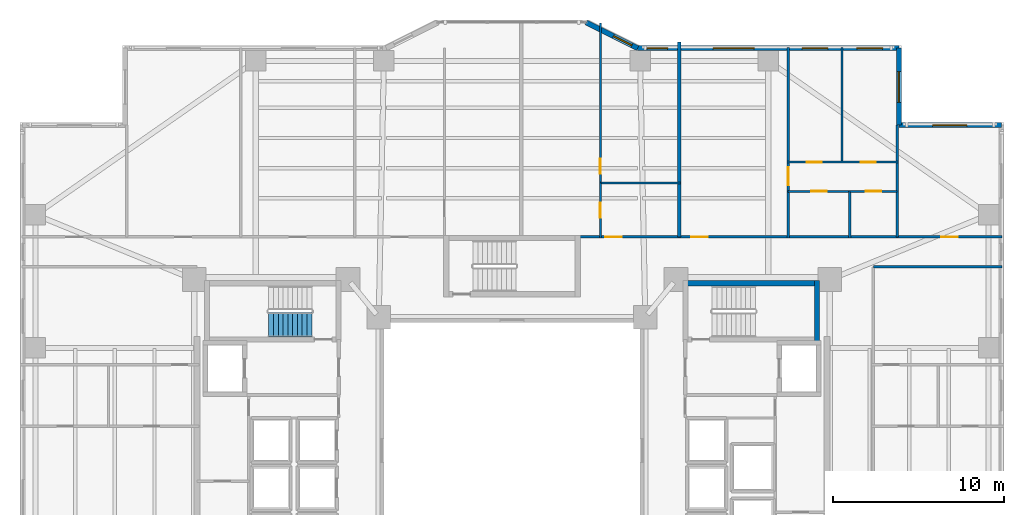
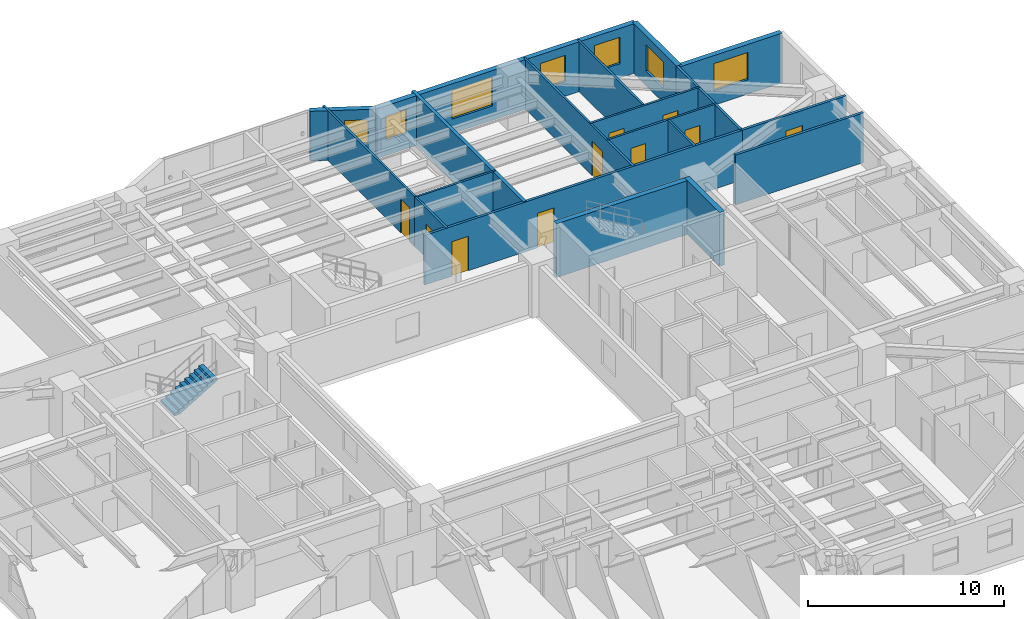
# One storey, part 15 of 21: 20 walls, 10 doors, 7 windows, 1 stair flight, 17 openings, 1 element without a shape of its own.
"""IFC4 building model written with IfcOpenShell, lengths in metres."""

from ifc_helpers import new_model, si_unit, direction, frame, frame_2d, origin, place, context, subcontext, project, spatial, polyline, rectangle, outline, extrude, material, layer, layer_set, type_object, element, fill, aggregate, save


model = new_model("IFC4")

# Units and contexts
model_context = context("Model", 3, precision=1e-05, world=origin(), true_north=direction((0.0, 1.0)))
body_context = subcontext(model_context, "Body", "Model", "MODEL_VIEW")
ifc_project = project(units=[si_unit("LENGTHUNIT", "METRE"), si_unit("AREAUNIT", "SQUARE_METRE"), si_unit("VOLUMEUNIT", "CUBIC_METRE"), si_unit("PLANEANGLEUNIT", "RADIAN"), si_unit("MASSUNIT", "GRAM", prefix="KILO")], contexts=[model_context])

# Site, building, storey
site_placement = place(None, origin())
site = spatial("IfcSite", under=ifc_project, at=site_placement, CompositionType="ELEMENT")
building_placement = place(site_placement, origin())
building = spatial("IfcBuilding", under=site, at=building_placement, Name="Tarnavaz Court Tower", CompositionType="ELEMENT")
storey_placement = place(building_placement, frame((0.0, 0.0, 47.449951171875)))
storey = spatial("IfcBuildingStorey", under=building, at=storey_placement, Name="L12", CompositionType="ELEMENT", Elevation=47.449951171875)

# Walls
ifc_material_1 = material(Name="Concrete C60/75", Category="concrete")
ifc_layer_1 = layer(ifc_material_1, 0.300048828125)
ifc_layer_set_1 = layer_set([ifc_layer_1], Name="Concrete C60/75")
wall_type_1 = type_object("IfcWallType", Name="WL-CORE-300-C60", PredefinedType="SHEAR", material=ifc_layer_set_1)
wall_1_placement = place(storey_placement, frame((10.0, 9.7900390625, 0.0), z_axis=(0.0, 0.0, 1.0), x_axis=(1.0, 0.0, 0.0)))
element("IfcWall", 1, at=wall_1_placement, inside=storey, type_object=wall_type_1, Name="L12 East Stair Core Wall 005", PredefinedType="SHEAR", context=body_context, shape_type="SweptSolid", body=[
    extrude(rectangle(XDim=8.0, YDim=0.300048828125, at=frame_2d((4.0, 0.0))), origin(), (0.0, 0.0, 1.0), 3.35009765625),
])
wall_2_placement = place(storey_placement, frame((17.85009765625, 6.35009765625, 0.0), z_axis=(0.0, 0.0, 1.0), x_axis=(0.0, 1.0, 0.0)))
element("IfcWall", 2, at=wall_2_placement, inside=storey, type_object=wall_type_1, Name="L12 East Stair Core Wall 008", PredefinedType="SHEAR", context=body_context, shape_type="SweptSolid", body=[
    extrude(rectangle(XDim=3.58984375, YDim=0.300048828125, at=frame_2d((1.794921875, 0.0))), origin(), (0.0, 0.0, 1.0), 3.35009765625),
])

# Wall, opening, window
ifc_material_2 = material(Name="Precast Concrete C40/50", Category="concrete")
ifc_layer_2 = layer(ifc_material_2, 0.300048828125)
ifc_layer_set_2 = layer_set([ifc_layer_2], Name="Precast Concrete C40/50")
wall_type_2 = type_object("IfcWallType", Name="WL-EXT-300", PredefinedType="SOLIDWALL", material=ifc_layer_set_2)
wall_3_placement = place(storey_placement, frame((4.35009765625, 25.050048828125, 0.0), z_axis=(0.0, 0.0, 1.0), x_axis=(0.894427191, -0.4472135955, 0.0)))
wall_3 = element("IfcWall", 3, at=wall_3_placement, inside=storey, type_object=wall_type_2, Name="L12 Exterior Terracotta Facade Wall 08", PredefinedType="SOLIDWALL", context=body_context, shape_type="SweptSolid", body=[
    extrude(rectangle(XDim=3.35400390625, YDim=0.300048828125, at=frame_2d((1.677001953125, 0.0))), origin(), (0.0, 0.0, 1.0), 3.10009765625),
])
opening_1_placement = place(wall_3_placement, frame((1.778076171875, 0.0, 0.949951171875)))
opening_1 = element("IfcOpeningElement", 4, at=opening_1_placement, cuts=wall_3, Name="Opening W05", PredefinedType="OPENING", context=body_context, shape_type="SweptSolid", body=[
    extrude(rectangle(XDim=1.199951171875, YDim=1.5, at=frame_2d((0.60009765625, 0.75))), frame((0.0, 0.159912109375, 0.0), z_axis=(0.0, -1.0, 0.0), x_axis=(1.0, 0.0, 0.0)), (0.0, 0.0, 1.0), 0.320068359375),
])
ifc_material_3 = material(Name="Double-Glazed Solar Low-E Glass", Category="glass")
window_type_1 = type_object("IfcWindowType", Name="WN-APT-1200", PartitioningType="SINGLE_PANEL", PredefinedType="WINDOW", material=ifc_material_3)
window_1_placement = place(opening_1_placement, origin())
window_1 = element("IfcWindow", 5, at=window_1_placement, inside=storey, type_object=window_type_1, Name="L12 Flat 01 Kitchen Window", OverallHeight=1.5, OverallWidth=1.199951171875, PartitioningType="SINGLE_PANEL", PredefinedType="WINDOW", context=body_context, shape_type="SweptSolid", body=[
    extrude(rectangle(XDim=1.199951171875, YDim=1.5, at=frame_2d((0.60009765625, 0.75))), frame((0.0, 0.030029296875, 0.0), z_axis=(0.0, -1.0, 0.0), x_axis=(1.0, 0.0, 0.0)), (0.0, 0.0, 1.0), 0.06005859375),
])
fill(opening_1, window_1)

# Wall, openings, windows
wall_4_placement = place(storey_placement, frame((7.35009765625, 23.550048828125, 0.0), z_axis=(0.0, 0.0, 1.0), x_axis=(1.0, 0.0, 0.0)))
wall_4 = element("IfcWall", 6, at=wall_4_placement, inside=storey, type_object=wall_type_2, Name="L12 Exterior Terracotta Facade Wall 09", PredefinedType="SOLIDWALL", context=body_context, shape_type="SweptSolid", body=[
    extrude(rectangle(XDim=15.2998046875, YDim=0.300048828125, at=frame_2d((7.64990234375, 0.0))), origin(), (0.0, 0.0, 1.0), 3.10009765625),
])
opening_2_placement = place(wall_4_placement, frame((0.5537109375, 0.0, 0.949951171875)))
opening_2 = element("IfcOpeningElement", 7, at=opening_2_placement, cuts=wall_4, Name="Opening W05", PredefinedType="OPENING", context=body_context, shape_type="SweptSolid", body=[
    extrude(rectangle(XDim=1.199951171875, YDim=1.5, at=frame_2d((0.60009765625, 0.75))), frame((0.0, 0.159912109375, 0.0), z_axis=(0.0, -1.0, 0.0), x_axis=(1.0, 0.0, 0.0)), (0.0, 0.0, 1.0), 0.320068359375),
])
opening_3_placement = place(wall_4_placement, frame((4.41845703125, 0.0, 0.89990234375)))
opening_3 = element("IfcOpeningElement", 8, at=opening_3_placement, cuts=wall_4, Name="Opening W06", PredefinedType="OPENING", context=body_context, shape_type="SweptSolid", body=[
    extrude(rectangle(XDim=2.39990234375, YDim=1.800048828125, at=frame_2d((1.199951171875, 0.89990234375))), frame((0.0, 0.159912109375, 0.0), z_axis=(0.0, -1.0, 0.0), x_axis=(1.0, 0.0, 0.0)), (0.0, 0.0, 1.0), 0.320068359375),
])
opening_4_placement = place(wall_4_placement, frame((9.6337890625, 0.0, 0.89990234375)))
opening_4 = element("IfcOpeningElement", 9, at=opening_4_placement, cuts=wall_4, Name="Opening W03", PredefinedType="OPENING", context=body_context, shape_type="SweptSolid", body=[
    extrude(rectangle(XDim=1.5, YDim=1.64990234375, at=frame_2d((0.75, 0.824951171875))), frame((0.0, 0.159912109375, 0.0), z_axis=(0.0, -1.0, 0.0), x_axis=(1.0, 0.0, 0.0)), (0.0, 0.0, 1.0), 0.320068359375),
])
opening_5_placement = place(wall_4_placement, frame((12.844482421875, 0.0, 0.89990234375)))
opening_5 = element("IfcOpeningElement", 10, at=opening_5_placement, cuts=wall_4, Name="Opening W03", PredefinedType="OPENING", context=body_context, shape_type="SweptSolid", body=[
    extrude(rectangle(XDim=1.5, YDim=1.64990234375, at=frame_2d((0.75, 0.824951171875))), frame((0.0, 0.159912109375, 0.0), z_axis=(0.0, -1.0, 0.0), x_axis=(1.0, 0.0, 0.0)), (0.0, 0.0, 1.0), 0.320068359375),
])
window_2_placement = place(opening_2_placement, origin())
window_2 = element("IfcWindow", 11, at=window_2_placement, inside=storey, type_object=window_type_1, Name="L12 Flat 01 Kitchen Window", OverallHeight=1.5, OverallWidth=1.199951171875, PartitioningType="SINGLE_PANEL", PredefinedType="WINDOW", context=body_context, shape_type="SweptSolid", body=[
    extrude(rectangle(XDim=1.199951171875, YDim=1.5, at=frame_2d((0.60009765625, 0.75))), frame((0.0, 0.030029296875, 0.0), z_axis=(0.0, -1.0, 0.0), x_axis=(1.0, 0.0, 0.0)), (0.0, 0.0, 1.0), 0.06005859375),
])
fill(opening_2, window_2)
window_type_2 = type_object("IfcWindowType", Name="WN-APT-1500", PartitioningType="DOUBLE_PANEL_VERTICAL", PredefinedType="WINDOW", material=ifc_material_3)
window_3_placement = place(opening_4_placement, origin())
window_3 = element("IfcWindow", 12, at=window_3_placement, inside=storey, type_object=window_type_2, Name="L12 Flat 02 Principal Bedroom Window", OverallHeight=1.64990234375, OverallWidth=1.5, PartitioningType="SINGLE_PANEL", PredefinedType="WINDOW", context=body_context, shape_type="SweptSolid", body=[
    extrude(rectangle(XDim=1.5, YDim=1.64990234375, at=frame_2d((0.75, 0.824951171875))), frame((0.0, 0.030029296875, 0.0), z_axis=(0.0, -1.0, 0.0), x_axis=(1.0, 0.0, 0.0)), (0.0, 0.0, 1.0), 0.06005859375),
])
fill(opening_4, window_3)
window_4_placement = place(opening_5_placement, origin())
window_4 = element("IfcWindow", 13, at=window_4_placement, inside=storey, type_object=window_type_2, Name="L12 Flat 02 Bedroom 2 Window", OverallHeight=1.64990234375, OverallWidth=1.5, PartitioningType="SINGLE_PANEL", PredefinedType="WINDOW", context=body_context, shape_type="SweptSolid", body=[
    extrude(rectangle(XDim=1.5, YDim=1.64990234375, at=frame_2d((0.75, 0.824951171875))), frame((0.0, 0.030029296875, 0.0), z_axis=(0.0, -1.0, 0.0), x_axis=(1.0, 0.0, 0.0)), (0.0, 0.0, 1.0), 0.06005859375),
])
fill(opening_5, window_4)
window_type_3 = type_object("IfcWindowType", Name="WN-APT-2400", PartitioningType="TRIPLE_PANEL_VERTICAL", PredefinedType="WINDOW", material=ifc_material_3)
window_5_placement = place(opening_3_placement, origin())
window_5 = element("IfcWindow", 14, at=window_5_placement, inside=storey, type_object=window_type_3, Name="L12 Flat 02 Living and Dining Room Window", OverallHeight=1.800048828125, OverallWidth=2.39990234375, PartitioningType="SINGLE_PANEL", PredefinedType="WINDOW", context=body_context, shape_type="SweptSolid", body=[
    extrude(rectangle(XDim=2.39990234375, YDim=1.800048828125, at=frame_2d((1.199951171875, 0.89990234375))), frame((0.0, 0.030029296875, 0.0), z_axis=(0.0, -1.0, 0.0), x_axis=(1.0, 0.0, 0.0)), (0.0, 0.0, 1.0), 0.06005859375),
])
fill(opening_3, window_5)

# Wall, opening, window
wall_5_placement = place(storey_placement, frame((22.64990234375, 23.550048828125, 0.0), z_axis=(0.0, 0.0, 1.0), x_axis=(0.0, -1.0, 0.0)))
wall_5 = element("IfcWall", 15, at=wall_5_placement, inside=storey, type_object=wall_type_2, Name="L12 Exterior Terracotta Facade Wall 10", PredefinedType="SOLIDWALL", context=body_context, shape_type="SweptSolid", body=[
    extrude(rectangle(XDim=4.5, YDim=0.300048828125, at=frame_2d((2.25, 0.0))), origin(), (0.0, 0.0, 1.0), 3.10009765625),
])
opening_6_placement = place(wall_5_placement, frame((1.367431640625, 0.0, 0.89990234375)))
opening_6 = element("IfcOpeningElement", 16, at=opening_6_placement, cuts=wall_5, Name="Opening W01", PredefinedType="OPENING", context=body_context, shape_type="SweptSolid", body=[
    extrude(rectangle(XDim=1.800048828125, YDim=1.64990234375, at=frame_2d((0.89990234375, 0.824951171875))), frame((0.0, 0.159912109375, 0.0), z_axis=(0.0, -1.0, 0.0), x_axis=(1.0, 0.0, 0.0)), (0.0, 0.0, 1.0), 0.320068359375),
])
window_type_4 = type_object("IfcWindowType", Name="WN-APT-1800", PartitioningType="DOUBLE_PANEL_VERTICAL", PredefinedType="WINDOW", material=ifc_material_3)
window_6_placement = place(opening_6_placement, origin())
window_6 = element("IfcWindow", 17, at=window_6_placement, inside=storey, type_object=window_type_4, Name="L12 Flat 02 Bedroom 2 Window", OverallHeight=1.64990234375, OverallWidth=1.800048828125, PartitioningType="SINGLE_PANEL", PredefinedType="WINDOW", context=body_context, shape_type="SweptSolid", body=[
    extrude(rectangle(XDim=1.800048828125, YDim=1.64990234375, at=frame_2d((0.89990234375, 0.824951171875))), frame((0.0, 0.030029296875, 0.0), z_axis=(0.0, -1.0, 0.0), x_axis=(1.0, 0.0, 0.0)), (0.0, 0.0, 1.0), 0.06005859375),
])
fill(opening_6, window_6)

wall_6_placement = place(storey_placement, frame((22.64990234375, 19.050048828125, 0.0), z_axis=(0.0, 0.0, 1.0), x_axis=(1.0, 0.0, 0.0)))
wall_6 = element("IfcWall", 18, at=wall_6_placement, inside=storey, type_object=wall_type_2, Name="L12 Exterior Terracotta Facade Wall 11", PredefinedType="SOLIDWALL", context=body_context, shape_type="SweptSolid", body=[
    extrude(rectangle(XDim=6.0, YDim=0.300048828125, at=frame_2d((3.0, 0.0))), origin(), (0.0, 0.0, 1.0), 3.10009765625),
])
opening_7_placement = place(wall_6_placement, frame((1.97509765625, 0.0, 0.89990234375)))
opening_7 = element("IfcOpeningElement", 19, at=opening_7_placement, cuts=wall_6, Name="Opening W08", PredefinedType="OPENING", context=body_context, shape_type="SweptSolid", body=[
    extrude(rectangle(XDim=2.0, YDim=1.699951171875, at=frame_2d((1.0, 0.85009765625))), frame((0.0, 0.159912109375, 0.0), z_axis=(0.0, -1.0, 0.0), x_axis=(1.0, 0.0, 0.0)), (0.0, 0.0, 1.0), 0.320068359375),
])
window_type_5 = type_object("IfcWindowType", Name="WN-APT-2000", PartitioningType="DOUBLE_PANEL_VERTICAL", PredefinedType="WINDOW", material=ifc_material_3)
window_7_placement = place(opening_7_placement, origin())
window_7 = element("IfcWindow", 20, at=window_7_placement, inside=storey, type_object=window_type_5, Name="L12 North-East Corner Sunroom Study Window", OverallHeight=1.699951171875, OverallWidth=2.0, PartitioningType="SINGLE_PANEL", PredefinedType="WINDOW", context=body_context, shape_type="SweptSolid", body=[
    extrude(rectangle(XDim=2.0, YDim=1.699951171875, at=frame_2d((1.0, 0.85009765625))), frame((0.0, 0.030029296875, 0.0), z_axis=(0.0, -1.0, 0.0), x_axis=(1.0, 0.0, 0.0)), (0.0, 0.0, 1.0), 0.06005859375),
])
fill(opening_7, window_7)

# Wall, openings, doors
ifc_material_4 = material(Name="Gypsum Fire-Board on Acoustic Metal Stud", Category="masonry")
ifc_layer_3 = layer(ifc_material_4, 0.14990234375)
ifc_layer_set_3 = layer_set([ifc_layer_3], Name="Gypsum Fire-Board on Acoustic Metal Stud")
wall_type_3 = type_object("IfcWallType", Name="WL-FIRE-150", PredefinedType="PARTITIONING", material=ifc_layer_set_3)
wall_7_placement = place(storey_placement, frame((3.85009765625, 12.5, 0.0), z_axis=(0.0, 0.0, 1.0), x_axis=(1.0, 0.0, 0.0)))
wall_7 = element("IfcWall", 21, at=wall_7_placement, inside=storey, type_object=wall_type_3, Name="L12 NE Wing Corridor Wall 082", PredefinedType="PARTITIONING", context=body_context, shape_type="SweptSolid", body=[
    extrude(rectangle(XDim=18.699951171875, YDim=0.14990234375, at=frame_2d((9.35009765625, 0.0))), origin(), (0.0, 0.0, 1.0), 3.10009765625),
])
opening_8_placement = place(wall_7_placement, frame((1.60009765625, 0.0, 0.0)))
opening_8 = element("IfcOpeningElement", 22, at=opening_8_placement, cuts=wall_7, Name="Opening D06", PredefinedType="OPENING", context=body_context, shape_type="SweptSolid", body=[
    extrude(rectangle(XDim=0.9599609375, YDim=2.14990234375, at=frame_2d((0.47998046875, 1.074951171875))), frame((0.0, 0.0849609375, 0.0), z_axis=(0.0, -1.0, 0.0), x_axis=(1.0, 0.0, 0.0)), (0.0, 0.0, 1.0), 0.169921875),
])
opening_9_placement = place(wall_7_placement, frame((6.639892578125, 0.0, 0.0)))
opening_9 = element("IfcOpeningElement", 23, at=opening_9_placement, cuts=wall_7, Name="Opening D06", PredefinedType="OPENING", context=body_context, shape_type="SweptSolid", body=[
    extrude(rectangle(XDim=0.9599609375, YDim=2.14990234375, at=frame_2d((0.47998046875, 1.074951171875))), frame((0.0, 0.0849609375, 0.0), z_axis=(0.0, -1.0, 0.0), x_axis=(1.0, 0.0, 0.0)), (0.0, 0.0, 1.0), 0.169921875),
])
ifc_material_5 = material(Name="Fire-Rated Hardwood Timber Core", Category="wood")
door_type_1 = type_object("IfcDoorType", Name="DR-FD60-950", OperationType="NOTDEFINED", PredefinedType="DOOR", material=ifc_material_5)
door_1_placement = place(opening_8_placement, origin())
door_1 = element("IfcDoor", 24, at=door_1_placement, inside=storey, type_object=door_type_1, Name="L12 Flat 01 Entrance Door", OperationType="SINGLE_SWING_LEFT", OverallHeight=2.14990234375, OverallWidth=0.9599609375, PredefinedType="DOOR", context=body_context, shape_type="SweptSolid", body=[
    extrude(rectangle(XDim=0.9599609375, YDim=2.14990234375, at=frame_2d((0.47998046875, 1.074951171875))), frame((0.0, 0.02490234375, 0.0), z_axis=(0.0, -1.0, 0.0), x_axis=(1.0, 0.0, 0.0)), (0.0, 0.0, 1.0), 0.050048828125),
])
fill(opening_8, door_1)
door_2_placement = place(opening_9_placement, origin())
door_2 = element("IfcDoor", 25, at=door_2_placement, inside=storey, type_object=door_type_1, Name="L12 Flat 02 Entrance Door", OperationType="SINGLE_SWING_RIGHT", OverallHeight=2.14990234375, OverallWidth=0.9599609375, PredefinedType="DOOR", context=body_context, shape_type="SweptSolid", body=[
    extrude(rectangle(XDim=0.9599609375, YDim=2.14990234375, at=frame_2d((0.47998046875, 1.074951171875))), frame((0.0, 0.02490234375, 0.0), z_axis=(0.0, -1.0, 0.0), x_axis=(1.0, 0.0, 0.0)), (0.0, 0.0, 1.0), 0.050048828125),
])
fill(opening_9, door_2)

# Wall
wall_8_placement = place(storey_placement, frame((21.14990234375, 10.75, 0.0), z_axis=(0.0, 0.0, 1.0), x_axis=(1.0, 0.0, 0.0)))
element("IfcWall", 26, at=wall_8_placement, inside=storey, type_object=wall_type_3, Name="L12 Interior Partition 131", PredefinedType="PARTITIONING", context=body_context, shape_type="SweptSolid", body=[
    extrude(rectangle(XDim=7.530029296875, YDim=0.14990234375, at=frame_2d((3.76513671875, 0.0))), origin(), (0.0, 0.0, 1.0), 3.10009765625),
])

# Wall, opening, door
wall_9_placement = place(storey_placement, frame((22.550048828125, 12.5, 0.0), z_axis=(0.0, 0.0, 1.0), x_axis=(1.0, 0.0, 0.0)))
wall_9 = element("IfcWall", 27, at=wall_9_placement, inside=storey, type_object=wall_type_3, Name="L12 Interior Partition 137", PredefinedType="PARTITIONING", context=body_context, shape_type="SweptSolid", body=[
    extrude(rectangle(XDim=6.1298828125, YDim=0.14990234375, at=frame_2d((3.06494140625, 0.0))), origin(), (0.0, 0.0, 1.0), 3.10009765625),
])
opening_10_placement = place(wall_9_placement, frame((2.590087890625, 0.0, 0.0)))
opening_10 = element("IfcOpeningElement", 28, at=opening_10_placement, cuts=wall_9, Name="Opening D13", PredefinedType="OPENING", context=body_context, shape_type="SweptSolid", body=[
    extrude(rectangle(XDim=0.949951171875, YDim=2.14990234375, at=frame_2d((0.47509765625, 1.074951171875))), frame((0.0, 0.0849609375, 0.0), z_axis=(0.0, -1.0, 0.0), x_axis=(1.0, 0.0, 0.0)), (0.0, 0.0, 1.0), 0.169921875),
])
ifc_material_6 = material(Name="Engineered Oak Timber", Category="wood")
door_type_2 = type_object("IfcDoorType", Name="DR-INT-950", OperationType="NOTDEFINED", PredefinedType="DOOR", material=ifc_material_6)
door_3_placement = place(opening_10_placement, origin())
door_3 = element("IfcDoor", 29, at=door_3_placement, inside=storey, type_object=door_type_2, Name="L12 NE Sunroom Door", OperationType="SINGLE_SWING_LEFT", OverallHeight=2.14990234375, OverallWidth=0.949951171875, PredefinedType="DOOR", context=body_context, shape_type="SweptSolid", body=[
    extrude(rectangle(XDim=0.949951171875, YDim=2.14990234375, at=frame_2d((0.47509765625, 1.074951171875))), frame((0.0, 0.02490234375, 0.0), z_axis=(0.0, -1.0, 0.0), x_axis=(1.0, 0.0, 0.0)), (0.0, 0.0, 1.0), 0.050048828125),
])
fill(opening_10, door_3)

# Wall
ifc_material_7 = material(Name="Autoclaved Aerated Concrete Blockwork", Category="masonry")
ifc_layer_4 = layer(ifc_material_7, 0.199951171875)
ifc_layer_set_4 = layer_set([ifc_layer_4], Name="Autoclaved Aerated Concrete Blockwork")
wall_type_4 = type_object("IfcWallType", Name="WL-FIRE-200", PredefinedType="SOLIDWALL", material=ifc_layer_set_4)
wall_10_placement = place(storey_placement, frame((9.7900390625, 12.5, 0.0), z_axis=(0.0, 0.0, 1.0), x_axis=(0.0, 1.0, 0.0)))
element("IfcWall", 30, at=wall_10_placement, inside=storey, type_object=wall_type_4, Name="L12 Party Wall 091", PredefinedType="SOLIDWALL", context=body_context, shape_type="SweptSolid", body=[
    extrude(rectangle(XDim=11.39794921875, YDim=0.199951171875, at=frame_2d((5.698974609375, 0.0))), origin(), (0.0, 0.0, 1.0), 3.10009765625),
])

# Wall, opening, door
ifc_material_8 = material(Name="Moisture-Resistant Gypsum Board Partition", Category="masonry")
ifc_layer_5 = layer(ifc_material_8, 0.1201171875)
ifc_layer_set_5 = layer_set([ifc_layer_5], Name="Moisture-Resistant Gypsum Board Partition")
wall_type_5 = type_object("IfcWallType", Name="WL-PART-120", PredefinedType="PARTITIONING", material=ifc_layer_set_5)
wall_11_placement = place(storey_placement, frame((5.169921875, 12.43994140625, 0.0), z_axis=(0.0, 0.0, 1.0), x_axis=(0.0, 1.0, 0.0)))
wall_11 = element("IfcWall", 31, at=wall_11_placement, inside=storey, type_object=wall_type_5, Name="L12 Interior Partition 092", PredefinedType="PARTITIONING", context=body_context, shape_type="SweptSolid", body=[
    extrude(rectangle(XDim=3.2099609375, YDim=0.1201171875, at=frame_2d((1.60498046875, 0.0))), origin(), (0.0, 0.0, 1.0), 3.10009765625),
])
opening_11_placement = place(wall_11_placement, frame((1.195068359375, 0.0, 0.0)))
opening_11 = element("IfcOpeningElement", 32, at=opening_11_placement, cuts=wall_11, Name="Opening D14", PredefinedType="OPENING", context=body_context, shape_type="SweptSolid", body=[
    extrude(rectangle(XDim=0.8798828125, YDim=2.10009765625, at=frame_2d((0.43994140625, 1.050048828125))), frame((0.0, 0.070068359375, 0.0), z_axis=(0.0, -1.0, 0.0), x_axis=(1.0, 0.0, 0.0)), (0.0, 0.0, 1.0), 0.14013671875),
])
door_type_3 = type_object("IfcDoorType", Name="DR-INT-900", OperationType="NOTDEFINED", PredefinedType="DOOR", material=ifc_material_6)
door_4_placement = place(opening_11_placement, origin())
door_4 = element("IfcDoor", 33, at=door_4_placement, inside=storey, type_object=door_type_3, Name="L12 Flat 01 Bathroom Door", OperationType="SINGLE_SWING_RIGHT", OverallHeight=2.10009765625, OverallWidth=0.8798828125, PredefinedType="DOOR", context=body_context, shape_type="SweptSolid", body=[
    extrude(rectangle(XDim=0.8798828125, YDim=2.10009765625, at=frame_2d((0.43994140625, 1.050048828125))), frame((0.0, 0.02490234375, 0.0), z_axis=(0.0, -1.0, 0.0), x_axis=(1.0, 0.0, 0.0)), (0.0, 0.0, 1.0), 0.050048828125),
])
fill(opening_11, door_4)

wall_12_placement = place(storey_placement, frame((5.169921875, 15.64990234375, 0.0), z_axis=(0.0, 0.0, 1.0), x_axis=(0.0, 1.0, 0.0)))
wall_12 = element("IfcWall", 34, at=wall_12_placement, inside=storey, type_object=wall_type_5, Name="L12 Interior Partition 093", PredefinedType="PARTITIONING", context=body_context, shape_type="SweptSolid", body=[
    extrude(rectangle(XDim=9.38818359375, YDim=0.1201171875, at=frame_2d((4.694091796875, 0.0))), origin(), (0.0, 0.0, 1.0), 3.10009765625),
])
opening_12_placement = place(wall_12_placement, frame((0.550048828125, 0.0, 0.0)))
opening_12 = element("IfcOpeningElement", 35, at=opening_12_placement, cuts=wall_12, Name="Opening D14", PredefinedType="OPENING", context=body_context, shape_type="SweptSolid", body=[
    extrude(rectangle(XDim=0.8798828125, YDim=2.10009765625, at=frame_2d((0.43994140625, 1.050048828125))), frame((0.0, 0.070068359375, 0.0), z_axis=(0.0, -1.0, 0.0), x_axis=(1.0, 0.0, 0.0)), (0.0, 0.0, 1.0), 0.14013671875),
])
door_5_placement = place(opening_12_placement, origin())
door_5 = element("IfcDoor", 36, at=door_5_placement, inside=storey, type_object=door_type_3, Name="L12 Flat 01 Kitchen Door", OperationType="SINGLE_SWING_LEFT", OverallHeight=2.10009765625, OverallWidth=0.8798828125, PredefinedType="DOOR", context=body_context, shape_type="SweptSolid", body=[
    extrude(rectangle(XDim=0.8798828125, YDim=2.10009765625, at=frame_2d((0.43994140625, 1.050048828125))), frame((0.0, 0.02490234375, 0.0), z_axis=(0.0, -1.0, 0.0), x_axis=(1.0, 0.0, 0.0)), (0.0, 0.0, 1.0), 0.050048828125),
])
fill(opening_12, door_5)

# Wall
wall_13_placement = place(storey_placement, frame((5.110107421875, 15.64990234375, 0.0), z_axis=(0.0, 0.0, 1.0), x_axis=(1.0, 0.0, 0.0)))
element("IfcWall", 37, at=wall_13_placement, inside=storey, type_object=wall_type_5, Name="L12 Interior Partition 094", PredefinedType="PARTITIONING", context=body_context, shape_type="SweptSolid", body=[
    extrude(rectangle(XDim=4.739990234375, YDim=0.1201171875, at=frame_2d((2.3701171875, 0.0))), origin(), (0.0, 0.0, 1.0), 3.10009765625),
])

# Wall, opening, door
wall_14_placement = place(storey_placement, frame((16.169921875, 12.43994140625, 0.0), z_axis=(0.0, 0.0, 1.0), x_axis=(0.0, 1.0, 0.0)))
wall_14 = element("IfcWall", 38, at=wall_14_placement, inside=storey, type_object=wall_type_5, Name="L12 Interior Partition 095", PredefinedType="PARTITIONING", context=body_context, shape_type="SweptSolid", body=[
    extrude(rectangle(XDim=11.16015625, YDim=0.1201171875, at=frame_2d((5.580078125, 0.0))), origin(), (0.0, 0.0, 1.0), 3.10009765625),
])
opening_13_placement = place(wall_14_placement, frame((3.074951171875, 0.0, 0.0)))
opening_13 = element("IfcOpeningElement", 39, at=opening_13_placement, cuts=wall_14, Name="Opening D12", PredefinedType="OPENING", context=body_context, shape_type="SweptSolid", body=[
    extrude(rectangle(XDim=1.080078125, YDim=2.14990234375, at=frame_2d((0.5400390625, 1.074951171875))), frame((0.0, 0.070068359375, 0.0), z_axis=(0.0, -1.0, 0.0), x_axis=(1.0, 0.0, 0.0)), (0.0, 0.0, 1.0), 0.14013671875),
])
door_type_4 = type_object("IfcDoorType", Name="DR-INT-1100", OperationType="NOTDEFINED", PredefinedType="DOOR", material=ifc_material_6)
door_6_placement = place(opening_13_placement, origin())
door_6 = element("IfcDoor", 40, at=door_6_placement, inside=storey, type_object=door_type_4, Name="L12 Flat 02 Foyer Door", OperationType="SINGLE_SWING_LEFT", OverallHeight=2.14990234375, OverallWidth=1.080078125, PredefinedType="DOOR", context=body_context, shape_type="SweptSolid", body=[
    extrude(rectangle(XDim=1.080078125, YDim=2.14990234375, at=frame_2d((0.5400390625, 1.074951171875))), frame((0.0, 0.02490234375, 0.0), z_axis=(0.0, -1.0, 0.0), x_axis=(1.0, 0.0, 0.0)), (0.0, 0.0, 1.0), 0.050048828125),
])
fill(opening_13, door_6)

wall_15_placement = place(storey_placement, frame((16.169921875, 15.169921875, 0.0), z_axis=(0.0, 0.0, 1.0), x_axis=(1.0, 0.0, 0.0)))
wall_15 = element("IfcWall", 41, at=wall_15_placement, inside=storey, type_object=wall_type_5, Name="L12 Interior Partition 096", PredefinedType="PARTITIONING", context=body_context, shape_type="SweptSolid", body=[
    extrude(rectangle(XDim=3.60205078125, YDim=0.1201171875, at=frame_2d((1.801025390625, 0.0))), origin(), (0.0, 0.0, 1.0), 3.10009765625),
])
opening_14_placement = place(wall_15_placement, frame((1.361083984375, 0.0, 0.0)))
opening_14 = element("IfcOpeningElement", 42, at=opening_14_placement, cuts=wall_15, Name="Opening D14", PredefinedType="OPENING", context=body_context, shape_type="SweptSolid", body=[
    extrude(rectangle(XDim=0.8798828125, YDim=2.10009765625, at=frame_2d((0.43994140625, 1.050048828125))), frame((0.0, 0.070068359375, 0.0), z_axis=(0.0, -1.0, 0.0), x_axis=(1.0, 0.0, 0.0)), (0.0, 0.0, 1.0), 0.14013671875),
])
door_7_placement = place(opening_14_placement, origin())
door_7 = element("IfcDoor", 43, at=door_7_placement, inside=storey, type_object=door_type_3, Name="L12 Flat 02 Kitchen Door", OperationType="SINGLE_SWING_RIGHT", OverallHeight=2.10009765625, OverallWidth=0.8798828125, PredefinedType="DOOR", context=body_context, shape_type="SweptSolid", body=[
    extrude(rectangle(XDim=0.8798828125, YDim=2.10009765625, at=frame_2d((0.43994140625, 1.050048828125))), frame((0.0, 0.02490234375, 0.0), z_axis=(0.0, -1.0, 0.0), x_axis=(1.0, 0.0, 0.0)), (0.0, 0.0, 1.0), 0.050048828125),
])
fill(opening_14, door_7)

wall_16_placement = place(storey_placement, frame((19.77197265625, 15.169921875, 0.0), z_axis=(0.0, 0.0, 1.0), x_axis=(1.0, 0.0, 0.0)))
wall_16 = element("IfcWall", 44, at=wall_16_placement, inside=storey, type_object=wall_type_5, Name="L12 Interior Partition 097", PredefinedType="PARTITIONING", context=body_context, shape_type="SweptSolid", body=[
    extrude(rectangle(XDim=2.778076171875, YDim=0.1201171875, at=frame_2d((1.38916015625, 0.0))), origin(), (0.0, 0.0, 1.0), 3.10009765625),
])
opening_15_placement = place(wall_16_placement, frame((0.948974609375, 0.0, 0.0)))
opening_15 = element("IfcOpeningElement", 45, at=opening_15_placement, cuts=wall_16, Name="Opening D14", PredefinedType="OPENING", context=body_context, shape_type="SweptSolid", body=[
    extrude(rectangle(XDim=0.8798828125, YDim=2.10009765625, at=frame_2d((0.43994140625, 1.050048828125))), frame((0.0, 0.070068359375, 0.0), z_axis=(0.0, -1.0, 0.0), x_axis=(1.0, 0.0, 0.0)), (0.0, 0.0, 1.0), 0.14013671875),
])
door_8_placement = place(opening_15_placement, origin())
door_8 = element("IfcDoor", 46, at=door_8_placement, inside=storey, type_object=door_type_3, Name="L12 Flat 02 Bathroom Door", OperationType="SINGLE_SWING_LEFT", OverallHeight=2.10009765625, OverallWidth=0.8798828125, PredefinedType="DOOR", context=body_context, shape_type="SweptSolid", body=[
    extrude(rectangle(XDim=0.8798828125, YDim=2.10009765625, at=frame_2d((0.43994140625, 1.050048828125))), frame((0.0, 0.02490234375, 0.0), z_axis=(0.0, -1.0, 0.0), x_axis=(1.0, 0.0, 0.0)), (0.0, 0.0, 1.0), 0.050048828125),
])
fill(opening_15, door_8)

# Wall, openings, doors
wall_17_placement = place(storey_placement, frame((16.110107421875, 16.8798828125, 0.0), z_axis=(0.0, 0.0, 1.0), x_axis=(1.0, 0.0, 0.0)))
wall_17 = element("IfcWall", 47, at=wall_17_placement, inside=storey, type_object=wall_type_5, Name="L12 Interior Partition 098", PredefinedType="PARTITIONING", context=body_context, shape_type="SweptSolid", body=[
    extrude(rectangle(XDim=6.5, YDim=0.1201171875, at=frame_2d((3.25, 0.0))), origin(), (0.0, 0.0, 1.0), 3.10009765625),
])
opening_16_placement = place(wall_17_placement, frame((1.139892578125, 0.0, 0.0)))
opening_16 = element("IfcOpeningElement", 48, at=opening_16_placement, cuts=wall_17, Name="Opening D14", PredefinedType="OPENING", context=body_context, shape_type="SweptSolid", body=[
    extrude(rectangle(XDim=0.8798828125, YDim=2.10009765625, at=frame_2d((0.43994140625, 1.050048828125))), frame((0.0, 0.070068359375, 0.0), z_axis=(0.0, -1.0, 0.0), x_axis=(1.0, 0.0, 0.0)), (0.0, 0.0, 1.0), 0.14013671875),
])
opening_17_placement = place(wall_17_placement, frame((4.300048828125, 0.0, 0.0)))
opening_17 = element("IfcOpeningElement", 49, at=opening_17_placement, cuts=wall_17, Name="Opening D14", PredefinedType="OPENING", context=body_context, shape_type="SweptSolid", body=[
    extrude(rectangle(XDim=0.8798828125, YDim=2.10009765625, at=frame_2d((0.43994140625, 1.050048828125))), frame((0.0, 0.070068359375, 0.0), z_axis=(0.0, -1.0, 0.0), x_axis=(1.0, 0.0, 0.0)), (0.0, 0.0, 1.0), 0.14013671875),
])
door_9_placement = place(opening_16_placement, origin())
door_9 = element("IfcDoor", 50, at=door_9_placement, inside=storey, type_object=door_type_3, Name="L12 Flat 02 Bedroom 1 Door", OperationType="SINGLE_SWING_RIGHT", OverallHeight=2.10009765625, OverallWidth=0.8798828125, PredefinedType="DOOR", context=body_context, shape_type="SweptSolid", body=[
    extrude(rectangle(XDim=0.8798828125, YDim=2.10009765625, at=frame_2d((0.43994140625, 1.050048828125))), frame((0.0, 0.02490234375, 0.0), z_axis=(0.0, -1.0, 0.0), x_axis=(1.0, 0.0, 0.0)), (0.0, 0.0, 1.0), 0.050048828125),
])
fill(opening_16, door_9)
door_10_placement = place(opening_17_placement, origin())
door_10 = element("IfcDoor", 51, at=door_10_placement, inside=storey, type_object=door_type_3, Name="L12 Flat 02 Bedroom 2 Door", OperationType="SINGLE_SWING_LEFT", OverallHeight=2.10009765625, OverallWidth=0.8798828125, PredefinedType="DOOR", context=body_context, shape_type="SweptSolid", body=[
    extrude(rectangle(XDim=0.8798828125, YDim=2.10009765625, at=frame_2d((0.43994140625, 1.050048828125))), frame((0.0, 0.02490234375, 0.0), z_axis=(0.0, -1.0, 0.0), x_axis=(1.0, 0.0, 0.0)), (0.0, 0.0, 1.0), 0.050048828125),
])
fill(opening_17, door_10)

# Walls
wall_18_placement = place(storey_placement, frame((19.77197265625, 12.43994140625, 0.0), z_axis=(0.0, 0.0, 1.0), x_axis=(0.0, 1.0, 0.0)))
element("IfcWall", 52, at=wall_18_placement, inside=storey, type_object=wall_type_5, Name="L12 Interior Partition 099", PredefinedType="PARTITIONING", context=body_context, shape_type="SweptSolid", body=[
    extrude(rectangle(XDim=2.7900390625, YDim=0.1201171875, at=frame_2d((1.39501953125, 0.0))), origin(), (0.0, 0.0, 1.0), 3.10009765625),
])
wall_19_placement = place(storey_placement, frame((19.330078125, 16.820068359375, 0.0), z_axis=(0.0, 0.0, 1.0), x_axis=(0.0, 1.0, 0.0)))
element("IfcWall", 53, at=wall_19_placement, inside=storey, type_object=wall_type_5, Name="L12 Interior Partition 100", PredefinedType="PARTITIONING", context=body_context, shape_type="SweptSolid", body=[
    extrude(rectangle(XDim=6.780029296875, YDim=0.1201171875, at=frame_2d((3.39013671875, 0.0))), origin(), (0.0, 0.0, 1.0), 3.10009765625),
])
ifc_material_9 = material(Name="Gypsum Plasterboard Acoustic Partition", Category="masonry")
ifc_layer_6 = layer(ifc_material_9, 0.139892578125)
ifc_layer_set_6 = layer_set([ifc_layer_6], Name="Gypsum Plasterboard Acoustic Partition")
wall_type_6 = type_object("IfcWallType", Name="WL-PART-150", PredefinedType="PARTITIONING", material=ifc_layer_set_6)
wall_20_placement = place(storey_placement, frame((22.550048828125, 12.5, 0.0), z_axis=(0.0, 0.0, 1.0), x_axis=(0.0, 1.0, 0.0)))
element("IfcWall", 54, at=wall_20_placement, inside=storey, type_object=wall_type_6, Name="L12 Interior Partition 135", PredefinedType="PARTITIONING", context=body_context, shape_type="SweptSolid", body=[
    extrude(rectangle(XDim=6.550048828125, YDim=0.139892578125, at=frame_2d((3.27490234375, 0.0))), origin(), (0.0, 0.0, 1.0), 3.10009765625),
])

# Stair, stair flight
ifc_material_10 = material(Name="Concrete C40/50", Category="concrete")
stair_type = type_object("IfcStairType", Name="ST-TWR-20R", PredefinedType="HALF_TURN_STAIR", material=ifc_material_10)
stair_placement = place(storey_placement, origin())
stair = element("IfcStair", 55, at=stair_placement, inside=storey, type_object=stair_type, Name="L12 West Core Pressurized Exit Stair ST-W1", PredefinedType="HALF_TURN_STAIR")
stair_flight_type = type_object("IfcStairFlightType", Name="SFL-RC-20R", PredefinedType="STRAIGHT", material=ifc_material_10)
stair_flight_placement = place(storey_placement, frame((-14.239990234375, 7.360107421875, 1.675048828125), z_axis=(0.0, 0.0, 1.0), x_axis=(1.0, 0.0, 0.0)))
stair_flight = element("IfcStairFlight", 56, at=stair_flight_placement, type_object=stair_flight_type, Name="ST-W1 flight 2", NumberOfRisers=10, NumberOfTreads=9, PredefinedType="STRAIGHT", RiserHeight=0.1675, TreadLength=0.28, context=body_context, shape_type="SweptSolid", body=[
    extrude(outline(polyline([(0.0, 0.0), (0.0, 0.16748046875), (0.280029296875, 0.16748046875), (0.280029296875, 0.3349609375), (0.56005859375, 0.3349609375), (0.56005859375, 0.50244140625), (0.840087890625, 0.50244140625), (0.840087890625, 0.669921875), (1.1201171875, 0.669921875), (1.1201171875, 0.83740234375), (1.39990234375, 0.83740234375), (1.39990234375, 1.0048828125), (1.679931640625, 1.0048828125), (1.679931640625, 1.172607421875), (1.9599609375, 1.172607421875), (1.9599609375, 1.340087890625), (2.239990234375, 1.340087890625), (2.239990234375, 1.507568359375), (2.52001953125, 1.507568359375), (2.52001953125, 1.675048828125), (2.52001953125, 1.332763671875), (0.2919921875, 0.0), (0.0, 0.0)])), frame((0.0, 0.7099609375, 0.0), z_axis=(0.0, -1.0, 0.0), x_axis=(1.0, 0.0, 0.0)), (0.0, 0.0, 1.0), 1.419921875),
])
aggregate(stair, [stair_flight])

save(model, "model.ifc")
